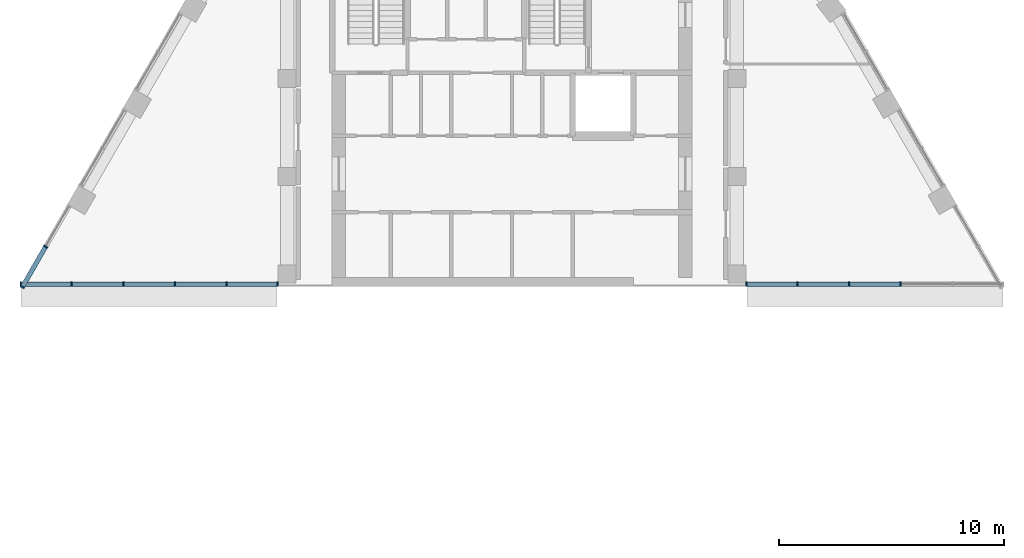
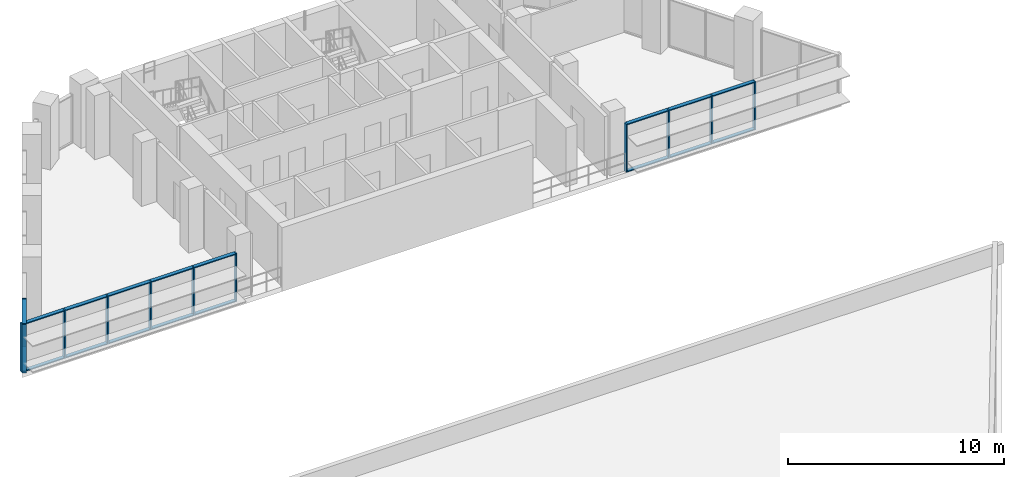
# One storey, part 2 of 10: 30 members, 3 elements without a shape of their own.
"""IFC4 building model written with IfcOpenShell, lengths in metres."""

from ifc_helpers import new_model, si_unit, direction, frame, origin, origin_2d, place, context, subcontext, project, spatial, rectangle, extrude, material, layer, layer_set, material_profile, profile_set, type_object, element, aggregate, save


model = new_model("IFC4")

# Units and contexts
model_context = context("Model", 3, precision=1e-05, world=origin(), true_north=direction((0.0, 1.0)))
body_context = subcontext(model_context, "Body", "Model", "MODEL_VIEW")
ifc_project = project(units=[si_unit("LENGTHUNIT", "METRE"), si_unit("AREAUNIT", "SQUARE_METRE"), si_unit("VOLUMEUNIT", "CUBIC_METRE"), si_unit("PLANEANGLEUNIT", "RADIAN"), si_unit("MASSUNIT", "GRAM", prefix="KILO")], contexts=[model_context])

# Site, building, storey
site_placement = place(None, origin())
site = spatial("IfcSite", under=ifc_project, at=site_placement, CompositionType="ELEMENT")
building_placement = place(site_placement, origin())
building = spatial("IfcBuilding", under=site, at=building_placement, Name="Nakaniwa Court", CompositionType="ELEMENT")
storey_placement = place(building_placement, frame((0.0, 0.0, 290.39990234375)))
storey = spatial("IfcBuildingStorey", under=building, at=storey_placement, Name="C06", CompositionType="ELEMENT", Elevation=290.39990234375)

# Curtain wall, members
ifc_material_1 = material(Name="Black anodised aluminium frame with dark low-E laminated double glazing", Category="aluminium")
ifc_layer = layer(ifc_material_1, 0.199951171875)
ifc_layer_set = layer_set([ifc_layer], Name="Black anodised aluminium frame with dark low-E laminated double glazing")
curtain_wall_type = type_object("IfcCurtainWallType", Name="Crown curtain wall", PredefinedType="NOTDEFINED", material=ifc_layer_set)
curtain_wall_1_placement = place(storey_placement, origin())
curtain_wall_1 = element("IfcCurtainWall", 1, at=curtain_wall_1_placement, inside=storey, type_object=curtain_wall_type, Name="C06 curtain wall CW4 01", PredefinedType="NOTDEFINED")
ifc_material_2 = material(Name="Black anodised aluminium extrusion", Category="aluminium")
ifc_material_profile_1 = material_profile(ifc_material_2, rectangle(XDim=0.199951171875, YDim=0.06494140625, at=origin_2d()), Name="Crown curtain wall mullion 65x200")
ifc_profile_set_1 = profile_set([ifc_material_profile_1], Name="Black anodised aluminium extrusion")
member_type_1 = type_object("IfcMemberType", Name="Crown curtain wall mullion 65x200", PredefinedType="MULLION", material=ifc_profile_set_1)
member_1_placement = place(storey_placement, frame((59.25732421875, 89.172607421875, 0.0), z_axis=(0.0, 0.0, 1.0), x_axis=(0.866021000852, -0.500007626024, 0.0)))
member_1 = element("IfcMember", 2, at=member_1_placement, type_object=member_type_1, Name="CW4 mullion 2", PredefinedType="MULLION", context=body_context, shape_type="SweptSolid", body=[
    extrude(rectangle(XDim=0.199951171875, YDim=0.06494140625, at=origin_2d()), origin(), (0.0, 0.0, 1.0), 2.72509765625),
])
member_2_placement = place(storey_placement, frame((58.22119140625, 87.378173828125, 0.0), z_axis=(0.0, 0.0, 1.0), x_axis=(0.866021000852, -0.500007626024, 0.0)))
member_2 = element("IfcMember", 3, at=member_2_placement, type_object=member_type_1, Name="CW4 mullion 3", PredefinedType="MULLION", context=body_context, shape_type="SweptSolid", body=[
    extrude(rectangle(XDim=0.199951171875, YDim=0.06494140625, at=origin_2d()), origin(), (0.0, 0.0, 1.0), 2.72509765625),
])

curtain_wall_2_placement = place(storey_placement, origin())
curtain_wall_2 = element("IfcCurtainWall", 4, at=curtain_wall_2_placement, inside=storey, type_object=curtain_wall_type, Name="C06 curtain wall CW4 02", PredefinedType="NOTDEFINED")
member_3_placement = place(storey_placement, frame((58.15087890625, 87.5, 0.0), z_axis=(0.0, 0.0, 1.0), x_axis=(0.0, 1.0, 0.0)))
member_3 = element("IfcMember", 5, at=member_3_placement, type_object=member_type_1, Name="CW4 mullion 1", PredefinedType="MULLION", context=body_context, shape_type="SweptSolid", body=[
    extrude(rectangle(XDim=0.199951171875, YDim=0.06494140625, at=origin_2d()), origin(), (0.0, 0.0, 1.0), 2.72509765625),
])
member_4_placement = place(storey_placement, frame((60.41552734375, 87.5, 0.0), z_axis=(0.0, 0.0, 1.0), x_axis=(0.0, 1.0, 0.0)))
member_4 = element("IfcMember", 6, at=member_4_placement, type_object=member_type_1, Name="CW4 mullion 2", PredefinedType="MULLION", context=body_context, shape_type="SweptSolid", body=[
    extrude(rectangle(XDim=0.199951171875, YDim=0.06494140625, at=origin_2d()), origin(), (0.0, 0.0, 1.0), 2.72509765625),
])
member_5_placement = place(storey_placement, frame((62.712646484375, 87.5, 0.0), z_axis=(0.0, 0.0, 1.0), x_axis=(0.0, 1.0, 0.0)))
member_5 = element("IfcMember", 7, at=member_5_placement, type_object=member_type_1, Name="CW4 mullion 3", PredefinedType="MULLION", context=body_context, shape_type="SweptSolid", body=[
    extrude(rectangle(XDim=0.199951171875, YDim=0.06494140625, at=origin_2d()), origin(), (0.0, 0.0, 1.0), 2.72509765625),
])
member_6_placement = place(storey_placement, frame((65.009765625, 87.5, 0.0), z_axis=(0.0, 0.0, 1.0), x_axis=(0.0, 1.0, 0.0)))
member_6 = element("IfcMember", 8, at=member_6_placement, type_object=member_type_1, Name="CW4 mullion 4", PredefinedType="MULLION", context=body_context, shape_type="SweptSolid", body=[
    extrude(rectangle(XDim=0.199951171875, YDim=0.06494140625, at=origin_2d()), origin(), (0.0, 0.0, 1.0), 2.72509765625),
])
member_7_placement = place(storey_placement, frame((67.306884765625, 87.5, 0.0), z_axis=(0.0, 0.0, 1.0), x_axis=(0.0, 1.0, 0.0)))
member_7 = element("IfcMember", 9, at=member_7_placement, type_object=member_type_1, Name="CW4 mullion 5", PredefinedType="MULLION", context=body_context, shape_type="SweptSolid", body=[
    extrude(rectangle(XDim=0.199951171875, YDim=0.06494140625, at=origin_2d()), origin(), (0.0, 0.0, 1.0), 2.72509765625),
])
member_8_placement = place(storey_placement, frame((69.571533203125, 87.5, 0.0), z_axis=(0.0, 0.0, 1.0), x_axis=(0.0, 1.0, 0.0)))
member_8 = element("IfcMember", 10, at=member_8_placement, type_object=member_type_1, Name="CW4 mullion 6", PredefinedType="MULLION", context=body_context, shape_type="SweptSolid", body=[
    extrude(rectangle(XDim=0.199951171875, YDim=0.06494140625, at=origin_2d()), origin(), (0.0, 0.0, 1.0), 2.72509765625),
])

curtain_wall_3_placement = place(storey_placement, origin())
curtain_wall_3 = element("IfcCurtainWall", 11, at=curtain_wall_3_placement, inside=storey, type_object=curtain_wall_type, Name="C06 curtain wall CW4 03", PredefinedType="NOTDEFINED")
member_9_placement = place(storey_placement, frame((90.428466796875, 87.5, 0.0), z_axis=(0.0, 0.0, 1.0), x_axis=(0.0, 1.0, 0.0)))
member_9 = element("IfcMember", 12, at=member_9_placement, type_object=member_type_1, Name="CW4 mullion 1", PredefinedType="MULLION", context=body_context, shape_type="SweptSolid", body=[
    extrude(rectangle(XDim=0.199951171875, YDim=0.06494140625, at=origin_2d()), origin(), (0.0, 0.0, 1.0), 2.72509765625),
])
member_10_placement = place(storey_placement, frame((92.693115234375, 87.5, 0.0), z_axis=(0.0, 0.0, 1.0), x_axis=(0.0, 1.0, 0.0)))
member_10 = element("IfcMember", 13, at=member_10_placement, type_object=member_type_1, Name="CW4 mullion 2", PredefinedType="MULLION", context=body_context, shape_type="SweptSolid", body=[
    extrude(rectangle(XDim=0.199951171875, YDim=0.06494140625, at=origin_2d()), origin(), (0.0, 0.0, 1.0), 2.72509765625),
])
member_11_placement = place(storey_placement, frame((94.990234375, 87.5, 0.0), z_axis=(0.0, 0.0, 1.0), x_axis=(0.0, 1.0, 0.0)))
member_11 = element("IfcMember", 14, at=member_11_placement, type_object=member_type_1, Name="CW4 mullion 3", PredefinedType="MULLION", context=body_context, shape_type="SweptSolid", body=[
    extrude(rectangle(XDim=0.199951171875, YDim=0.06494140625, at=origin_2d()), origin(), (0.0, 0.0, 1.0), 2.72509765625),
])
member_12_placement = place(storey_placement, frame((97.287353515625, 87.5, 0.0), z_axis=(0.0, 0.0, 1.0), x_axis=(0.0, 1.0, 0.0)))
member_12 = element("IfcMember", 15, at=member_12_placement, type_object=member_type_1, Name="CW4 mullion 4", PredefinedType="MULLION", context=body_context, shape_type="SweptSolid", body=[
    extrude(rectangle(XDim=0.199951171875, YDim=0.06494140625, at=origin_2d()), origin(), (0.0, 0.0, 1.0), 2.72509765625),
])

# Member
ifc_material_profile_2 = material_profile(ifc_material_2, rectangle(XDim=0.199951171875, YDim=0.054931640625, at=origin_2d()), Name="Crown curtain wall transom 55x200")
ifc_profile_set_2 = profile_set([ifc_material_profile_2], Name="Black anodised aluminium extrusion")
member_type_2 = type_object("IfcMemberType", Name="Crown curtain wall transom 55x200", PredefinedType="USERDEFINED", material=ifc_profile_set_2)
member_13_placement = place(storey_placement, frame((59.240966796875, 89.14453125, 0.027587890625), z_axis=(-0.499933044277, -0.866064057238, 0.0), x_axis=(0.866064057238, -0.499933044277, 0.0)))
member_13 = element("IfcMember", 16, at=member_13_placement, type_object=member_type_2, Name="CW4 transom 2.1", ObjectType="TRANSOM", PredefinedType="USERDEFINED", context=body_context, shape_type="SweptSolid", body=[
    extrude(rectangle(XDim=0.199951171875, YDim=0.054931640625, at=origin_2d()), origin(), (0.0, 0.0, 1.0), 2.007080078125),
])

member_14_placement = place(storey_placement, frame((59.240966796875, 89.14453125, 2.697509765625), z_axis=(-0.499933044277, -0.866064057238, 0.0), x_axis=(0.866064057238, -0.499933044277, 0.0)))
member_14 = element("IfcMember", 17, at=member_14_placement, type_object=member_type_2, Name="CW4 transom 2.2", ObjectType="TRANSOM", PredefinedType="USERDEFINED", context=body_context, shape_type="SweptSolid", body=[
    extrude(rectangle(XDim=0.199951171875, YDim=0.054931640625, at=origin_2d()), origin(), (0.0, 0.0, 1.0), 2.007080078125),
])

aggregate(curtain_wall_1, [member_1, member_2, member_13, member_14])

member_15_placement = place(storey_placement, frame((58.183349609375, 87.5, 0.027587890625), z_axis=(1.0, 0.0, 0.0), x_axis=(0.0, 1.0, 0.0)))
member_15 = element("IfcMember", 18, at=member_15_placement, type_object=member_type_2, Name="CW4 transom 1.1", ObjectType="TRANSOM", PredefinedType="USERDEFINED", context=body_context, shape_type="SweptSolid", body=[
    extrude(rectangle(XDim=0.199951171875, YDim=0.054931640625, at=origin_2d()), origin(), (0.0, 0.0, 1.0), 2.19970703125),
])

member_16_placement = place(storey_placement, frame((58.183349609375, 87.5, 2.697509765625), z_axis=(1.0, 0.0, 0.0), x_axis=(0.0, 1.0, 0.0)))
member_16 = element("IfcMember", 19, at=member_16_placement, type_object=member_type_2, Name="CW4 transom 1.2", ObjectType="TRANSOM", PredefinedType="USERDEFINED", context=body_context, shape_type="SweptSolid", body=[
    extrude(rectangle(XDim=0.199951171875, YDim=0.054931640625, at=origin_2d()), origin(), (0.0, 0.0, 1.0), 2.19970703125),
])

member_17_placement = place(storey_placement, frame((60.447998046875, 87.5, 0.027587890625), z_axis=(1.0, 0.0, 0.0), x_axis=(0.0, 1.0, 0.0)))
member_17 = element("IfcMember", 20, at=member_17_placement, type_object=member_type_2, Name="CW4 transom 2.1", ObjectType="TRANSOM", PredefinedType="USERDEFINED", context=body_context, shape_type="SweptSolid", body=[
    extrude(rectangle(XDim=0.199951171875, YDim=0.054931640625, at=origin_2d()), origin(), (0.0, 0.0, 1.0), 2.232177734375),
])

member_18_placement = place(storey_placement, frame((60.447998046875, 87.5, 2.697509765625), z_axis=(1.0, 0.0, 0.0), x_axis=(0.0, 1.0, 0.0)))
member_18 = element("IfcMember", 21, at=member_18_placement, type_object=member_type_2, Name="CW4 transom 2.2", ObjectType="TRANSOM", PredefinedType="USERDEFINED", context=body_context, shape_type="SweptSolid", body=[
    extrude(rectangle(XDim=0.199951171875, YDim=0.054931640625, at=origin_2d()), origin(), (0.0, 0.0, 1.0), 2.232177734375),
])

member_19_placement = place(storey_placement, frame((62.7451171875, 87.5, 0.027587890625), z_axis=(1.0, 0.0, 0.0), x_axis=(0.0, 1.0, 0.0)))
member_19 = element("IfcMember", 22, at=member_19_placement, type_object=member_type_2, Name="CW4 transom 3.1", ObjectType="TRANSOM", PredefinedType="USERDEFINED", context=body_context, shape_type="SweptSolid", body=[
    extrude(rectangle(XDim=0.199951171875, YDim=0.054931640625, at=origin_2d()), origin(), (0.0, 0.0, 1.0), 2.232177734375),
])

member_20_placement = place(storey_placement, frame((62.7451171875, 87.5, 2.697509765625), z_axis=(1.0, 0.0, 0.0), x_axis=(0.0, 1.0, 0.0)))
member_20 = element("IfcMember", 23, at=member_20_placement, type_object=member_type_2, Name="CW4 transom 3.2", ObjectType="TRANSOM", PredefinedType="USERDEFINED", context=body_context, shape_type="SweptSolid", body=[
    extrude(rectangle(XDim=0.199951171875, YDim=0.054931640625, at=origin_2d()), origin(), (0.0, 0.0, 1.0), 2.232177734375),
])

member_21_placement = place(storey_placement, frame((65.042236328125, 87.5, 0.027587890625), z_axis=(1.0, 0.0, 0.0), x_axis=(0.0, 1.0, 0.0)))
member_21 = element("IfcMember", 24, at=member_21_placement, type_object=member_type_2, Name="CW4 transom 4.1", ObjectType="TRANSOM", PredefinedType="USERDEFINED", context=body_context, shape_type="SweptSolid", body=[
    extrude(rectangle(XDim=0.199951171875, YDim=0.054931640625, at=origin_2d()), origin(), (0.0, 0.0, 1.0), 2.232177734375),
])

member_22_placement = place(storey_placement, frame((65.042236328125, 87.5, 2.697509765625), z_axis=(1.0, 0.0, 0.0), x_axis=(0.0, 1.0, 0.0)))
member_22 = element("IfcMember", 25, at=member_22_placement, type_object=member_type_2, Name="CW4 transom 4.2", ObjectType="TRANSOM", PredefinedType="USERDEFINED", context=body_context, shape_type="SweptSolid", body=[
    extrude(rectangle(XDim=0.199951171875, YDim=0.054931640625, at=origin_2d()), origin(), (0.0, 0.0, 1.0), 2.232177734375),
])

member_23_placement = place(storey_placement, frame((67.33935546875, 87.5, 0.027587890625), z_axis=(1.0, 0.0, 0.0), x_axis=(0.0, 1.0, 0.0)))
member_23 = element("IfcMember", 26, at=member_23_placement, type_object=member_type_2, Name="CW4 transom 5.1", ObjectType="TRANSOM", PredefinedType="USERDEFINED", context=body_context, shape_type="SweptSolid", body=[
    extrude(rectangle(XDim=0.199951171875, YDim=0.054931640625, at=origin_2d()), origin(), (0.0, 0.0, 1.0), 2.19970703125),
])

member_24_placement = place(storey_placement, frame((67.33935546875, 87.5, 2.697509765625), z_axis=(1.0, 0.0, 0.0), x_axis=(0.0, 1.0, 0.0)))
member_24 = element("IfcMember", 27, at=member_24_placement, type_object=member_type_2, Name="CW4 transom 5.2", ObjectType="TRANSOM", PredefinedType="USERDEFINED", context=body_context, shape_type="SweptSolid", body=[
    extrude(rectangle(XDim=0.199951171875, YDim=0.054931640625, at=origin_2d()), origin(), (0.0, 0.0, 1.0), 2.19970703125),
])

aggregate(curtain_wall_2, [member_3, member_4, member_5, member_6, member_7, member_8, member_15, member_16, member_17, member_18, member_19, member_20, member_21, member_22, member_23, member_24])

member_25_placement = place(storey_placement, frame((90.4609375, 87.5, 0.027587890625), z_axis=(1.0, 0.0, 0.0), x_axis=(0.0, 1.0, 0.0)))
member_25 = element("IfcMember", 28, at=member_25_placement, type_object=member_type_2, Name="CW4 transom 1.1", ObjectType="TRANSOM", PredefinedType="USERDEFINED", context=body_context, shape_type="SweptSolid", body=[
    extrude(rectangle(XDim=0.199951171875, YDim=0.054931640625, at=origin_2d()), origin(), (0.0, 0.0, 1.0), 2.19970703125),
])

member_26_placement = place(storey_placement, frame((90.4609375, 87.5, 2.697509765625), z_axis=(1.0, 0.0, 0.0), x_axis=(0.0, 1.0, 0.0)))
member_26 = element("IfcMember", 29, at=member_26_placement, type_object=member_type_2, Name="CW4 transom 1.2", ObjectType="TRANSOM", PredefinedType="USERDEFINED", context=body_context, shape_type="SweptSolid", body=[
    extrude(rectangle(XDim=0.199951171875, YDim=0.054931640625, at=origin_2d()), origin(), (0.0, 0.0, 1.0), 2.19970703125),
])

member_27_placement = place(storey_placement, frame((92.7255859375, 87.5, 0.027587890625), z_axis=(1.0, 0.0, 0.0), x_axis=(0.0, 1.0, 0.0)))
member_27 = element("IfcMember", 30, at=member_27_placement, type_object=member_type_2, Name="CW4 transom 2.1", ObjectType="TRANSOM", PredefinedType="USERDEFINED", context=body_context, shape_type="SweptSolid", body=[
    extrude(rectangle(XDim=0.199951171875, YDim=0.054931640625, at=origin_2d()), origin(), (0.0, 0.0, 1.0), 2.232177734375),
])

member_28_placement = place(storey_placement, frame((92.7255859375, 87.5, 2.697509765625), z_axis=(1.0, 0.0, 0.0), x_axis=(0.0, 1.0, 0.0)))
member_28 = element("IfcMember", 31, at=member_28_placement, type_object=member_type_2, Name="CW4 transom 2.2", ObjectType="TRANSOM", PredefinedType="USERDEFINED", context=body_context, shape_type="SweptSolid", body=[
    extrude(rectangle(XDim=0.199951171875, YDim=0.054931640625, at=origin_2d()), origin(), (0.0, 0.0, 1.0), 2.232177734375),
])

member_29_placement = place(storey_placement, frame((95.022705078125, 87.5, 0.027587890625), z_axis=(1.0, 0.0, 0.0), x_axis=(0.0, 1.0, 0.0)))
member_29 = element("IfcMember", 32, at=member_29_placement, type_object=member_type_2, Name="CW4 transom 3.1", ObjectType="TRANSOM", PredefinedType="USERDEFINED", context=body_context, shape_type="SweptSolid", body=[
    extrude(rectangle(XDim=0.199951171875, YDim=0.054931640625, at=origin_2d()), origin(), (0.0, 0.0, 1.0), 2.232177734375),
])

member_30_placement = place(storey_placement, frame((95.022705078125, 87.5, 2.697509765625), z_axis=(1.0, 0.0, 0.0), x_axis=(0.0, 1.0, 0.0)))
member_30 = element("IfcMember", 33, at=member_30_placement, type_object=member_type_2, Name="CW4 transom 3.2", ObjectType="TRANSOM", PredefinedType="USERDEFINED", context=body_context, shape_type="SweptSolid", body=[
    extrude(rectangle(XDim=0.199951171875, YDim=0.054931640625, at=origin_2d()), origin(), (0.0, 0.0, 1.0), 2.232177734375),
])

aggregate(curtain_wall_3, [member_9, member_10, member_11, member_12, member_25, member_26, member_27, member_28, member_29, member_30])

save(model, "model.ifc")
